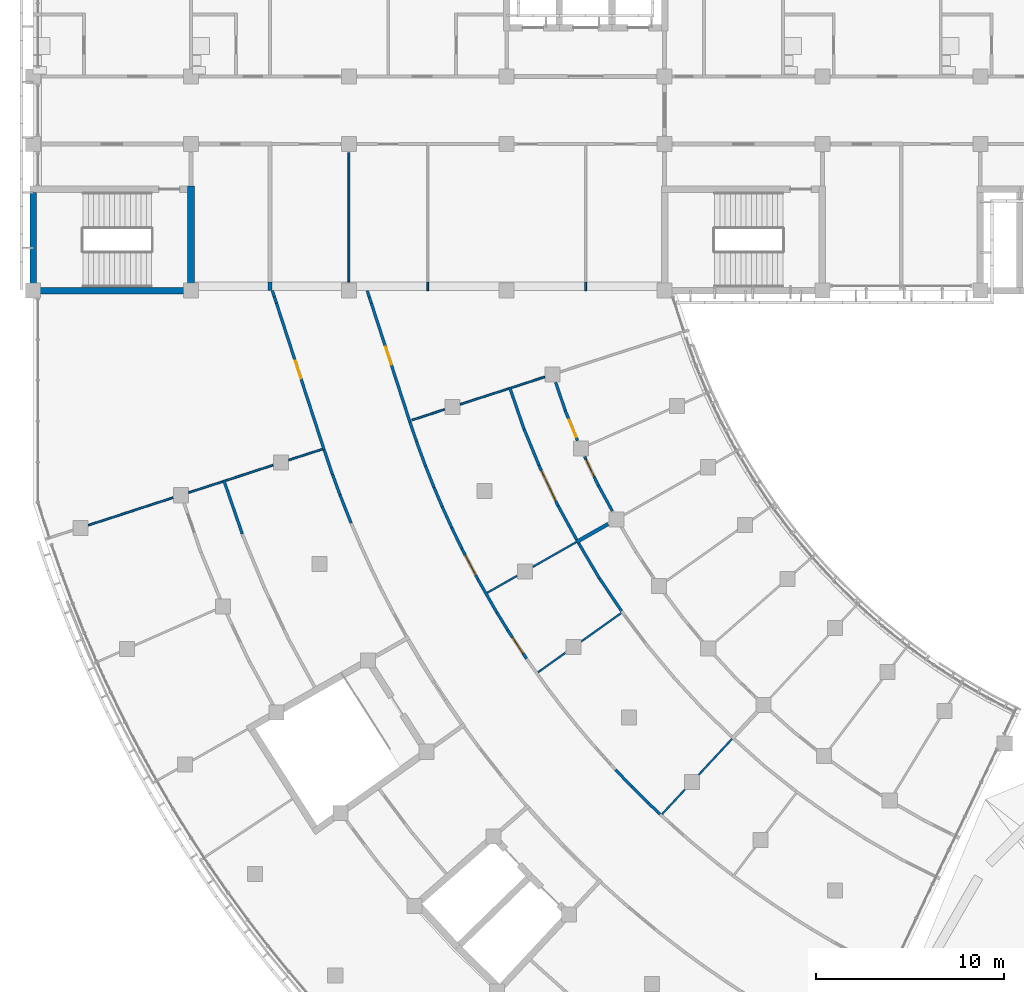
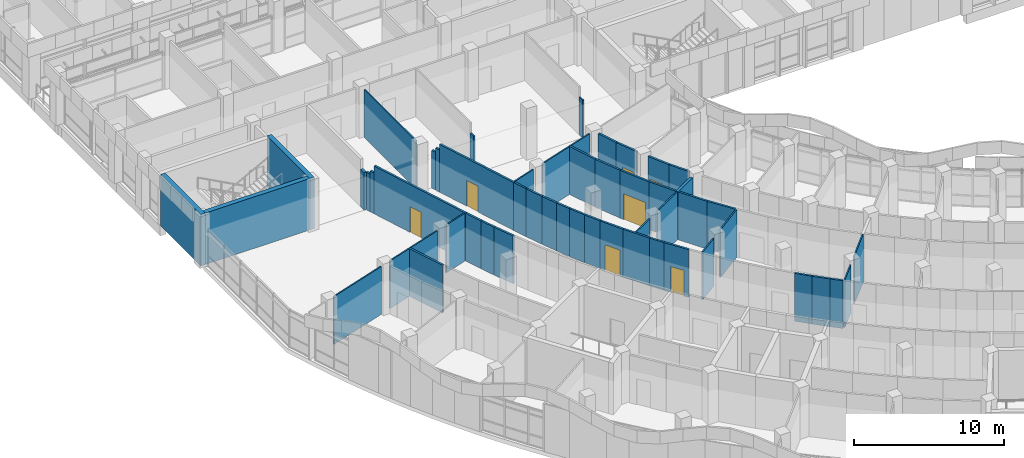
# One storey, part 71 of 137: 52 walls, 7 doors, 7 openings.
"""IFC4 building model written with IfcOpenShell, lengths in metres."""

from ifc_helpers import new_model, si_unit, direction, frame, frame_2d, origin, place, context, subcontext, project, spatial, rectangle, extrude, material, layer, layer_set, type_object, element, fill, save


model = new_model("IFC4")

# Units and contexts
model_context = context("Model", 3, precision=1e-05, world=origin(), true_north=direction((0.0, 1.0)))
body_context = subcontext(model_context, "Body", "Model", "MODEL_VIEW")
ifc_project = project(units=[si_unit("LENGTHUNIT", "METRE"), si_unit("AREAUNIT", "SQUARE_METRE"), si_unit("VOLUMEUNIT", "CUBIC_METRE"), si_unit("PLANEANGLEUNIT", "RADIAN"), si_unit("MASSUNIT", "GRAM", prefix="KILO")], contexts=[model_context])

# Site, building, storey
site_placement = place(None, origin())
site = spatial("IfcSite", under=ifc_project, at=site_placement, CompositionType="ELEMENT")
building_placement = place(site_placement, origin())
building = spatial("IfcBuilding", under=site, at=building_placement, Name="Bougainvillea Quay General Hospital", CompositionType="ELEMENT")
storey_placement = place(building_placement, frame((0.0, 0.0, 16.800048828125)))
storey = spatial("IfcBuildingStorey", under=building, at=storey_placement, Name="L03", CompositionType="ELEMENT", Elevation=16.800048828125)

# Walls
ifc_material_1 = material(Name="Gypsum board partition on steel studs", Category="steel")
ifc_layer_1 = layer(ifc_material_1, 0.10009765625)
ifc_layer_set_1 = layer_set([ifc_layer_1], Name="Gypsum board partition on steel studs")
wall_type_1 = type_object("IfcWallType", Name="Partition 100 Gypsum board partition", PredefinedType="PARTITIONING", material=ifc_layer_set_1)
wall_1_placement = place(storey_placement, frame((58.800048828125, 118.050048828125, 0.0), z_axis=(0.0, 0.0, 1.0), x_axis=(0.0, 1.0, 0.0)))
element("IfcWall", 1, at=wall_1_placement, inside=storey, type_object=wall_type_1, Name="Partition 100 mm", PredefinedType="PARTITIONING", context=body_context, shape_type="SweptSolid", body=[
    extrude(rectangle(XDim=6.89990234375, YDim=0.10009765625, at=frame_2d((3.449951171875, 0.0))), origin(), (0.0, 0.0, 1.0), 3.89990234375),
])
for number, where, z_axis, x_axis, name in (
    (2, (63.0, 117.60009765625, 0.0), (0.0, 0.0, 1.0), (0.0, 1.0, 0.0), "Partition 100 mm"),
    (3, (71.39990234375, 117.60009765625, 0.0), (0.0, 0.0, 1.0), (0.0, 1.0, 0.0), "Partition 100 mm"),
):
    element("IfcWall", number, at=place(storey_placement, frame(where, z_axis=z_axis, x_axis=x_axis)), inside=storey, type_object=wall_type_1, Name=name, PredefinedType="PARTITIONING", context=body_context, shape_type="SweptSolid", body=[
        extrude(rectangle(XDim=0.449951171875, YDim=0.10009765625, at=frame_2d((0.22509765625, 0.0))), origin(), (0.0, 0.0, 1.0), 3.079833984375),
    ])
ifc_layer_2 = layer(ifc_material_1, 0.10009765625)
ifc_layer_set_2 = layer_set([ifc_layer_2], Name="Gypsum board partition on steel studs")
wall_type_2 = type_object("IfcWallType", Name="Partition 100 Gypsum board partition EI 30", PredefinedType="PARTITIONING", material=ifc_layer_set_2)
wall_2_placement = place(storey_placement, frame((44.945068359375, 105.122314453125, 0.0), z_axis=(0.0, 0.0, 1.0), x_axis=(0.95107316225, 0.308965758699, 0.0)))
element("IfcWall", 4, at=wall_2_placement, inside=storey, type_object=wall_type_2, Name="Partition 100 mm EI 30", PredefinedType="PARTITIONING", context=body_context, shape_type="SweptSolid", body=[
    extrude(rectangle(XDim=4.72607421875, YDim=0.10009765625, at=frame_2d((2.363037109375, 0.0))), origin(), (0.0, 0.0, 1.0), 3.89990234375),
])
wall_3_placement = place(storey_placement, frame((50.27001953125, 106.852294921875, 0.0), z_axis=(0.0, 0.0, 1.0), x_axis=(0.951077706574, 0.308951769792, 0.0)))
element("IfcWall", 5, at=wall_3_placement, inside=storey, type_object=wall_type_2, Name="Partition 100 mm EI 30", PredefinedType="PARTITIONING", context=body_context, shape_type="SweptSolid", body=[
    extrude(rectangle(XDim=4.72705078125, YDim=0.10009765625, at=frame_2d((2.363525390625, 0.0))), origin(), (0.0, 0.0, 1.0), 3.89990234375),
])
wall_4_placement = place(storey_placement, frame((55.59619140625, 108.58251953125, 0.0), z_axis=(0.0, 0.0, 1.0), x_axis=(0.951087292219, 0.308922259768, 0.0)))
element("IfcWall", 6, at=wall_4_placement, inside=storey, type_object=wall_type_2, Name="Partition 100 mm EI 30", PredefinedType="PARTITIONING", context=body_context, shape_type="SweptSolid", body=[
    extrude(rectangle(XDim=1.88720703125, YDim=0.10009765625, at=frame_2d((0.943603515625, 0.0))), origin(), (0.0, 0.0, 1.0), 3.89990234375),
])
wall_5_placement = place(storey_placement, frame((62.159423828125, 110.7158203125, 0.0), z_axis=(0.0, 0.0, 1.0), x_axis=(0.951101847275, 0.308877445129, 0.0)))
element("IfcWall", 7, at=wall_5_placement, inside=storey, type_object=wall_type_2, Name="Partition 100 mm EI 30", PredefinedType="PARTITIONING", context=body_context, shape_type="SweptSolid", body=[
    extrude(rectangle(XDim=1.825927734375, YDim=0.10009765625, at=frame_2d((0.9130859375, 0.0))), origin(), (0.0, 0.0, 1.0), 3.89990234375),
])
wall_6_placement = place(storey_placement, frame((64.72607421875, 111.549560546875, 0.0), z_axis=(0.0, 0.0, 1.0), x_axis=(0.951062529891, 0.308998485818, 0.0)))
element("IfcWall", 8, at=wall_6_placement, inside=storey, type_object=wall_type_2, Name="Partition 100 mm EI 30", PredefinedType="PARTITIONING", context=body_context, shape_type="SweptSolid", body=[
    extrude(rectangle(XDim=4.727294921875, YDim=0.10009765625, at=frame_2d((2.36376953125, 0.0))), origin(), (0.0, 0.0, 1.0), 3.89990234375),
])
wall_7_placement = place(storey_placement, frame((66.160400390625, 101.522705078125, 0.0), z_axis=(0.0, 0.0, 1.0), x_axis=(0.869286737545, 0.494308171011, 0.0)))
element("IfcWall", 9, at=wall_7_placement, inside=storey, type_object=wall_type_2, Name="Partition 100 mm EI 30", PredefinedType="PARTITIONING", context=body_context, shape_type="SweptSolid", body=[
    extrude(rectangle(XDim=1.824951171875, YDim=0.10009765625, at=frame_2d((0.91259765625, 0.0))), origin(), (0.0, 0.0, 1.0), 3.89990234375),
])
wall_8_placement = place(storey_placement, frame((68.59521484375, 102.907470703125, 0.0), z_axis=(0.0, 0.0, 1.0), x_axis=(0.869270757215, 0.494336272846, 0.0)))
element("IfcWall", 10, at=wall_8_placement, inside=storey, type_object=wall_type_2, Name="Partition 100 mm EI 30", PredefinedType="PARTITIONING", context=body_context, shape_type="SweptSolid", body=[
    extrude(rectangle(XDim=2.656005859375, YDim=0.10009765625, at=frame_2d((1.328125, 0.0))), origin(), (0.0, 0.0, 1.0), 3.89990234375),
])
wall_9_placement = place(storey_placement, frame((75.4677734375, 89.74560546875, 0.0), z_axis=(0.0, 0.0, 1.0), x_axis=(0.681143154038, 0.732150260334, 0.0)))
element("IfcWall", 11, at=wall_9_placement, inside=storey, type_object=wall_type_2, Name="Partition 100 mm EI 30", PredefinedType="PARTITIONING", context=body_context, shape_type="SweptSolid", body=[
    extrude(rectangle(XDim=1.785400390625, YDim=0.10009765625, at=frame_2d((0.892578125, 0.0))), origin(), (0.0, 0.0, 1.0), 3.89990234375),
])
wall_10_placement = place(storey_placement, frame((77.412109375, 91.83544921875, 0.0), z_axis=(0.0, 0.0, 1.0), x_axis=(0.681147107729, 0.732146582067, 0.0)))
element("IfcWall", 12, at=wall_10_placement, inside=storey, type_object=wall_type_2, Name="Partition 100 mm EI 30", PredefinedType="PARTITIONING", context=body_context, shape_type="SweptSolid", body=[
    extrude(rectangle(XDim=2.60888671875, YDim=0.10009765625, at=frame_2d((1.304443359375, 0.0))), origin(), (0.0, 0.0, 1.0), 3.89990234375),
])
wall_11_placement = place(storey_placement, frame((68.860595703125, 97.2900390625, 0.0), z_axis=(0.0, 0.0, 1.0), x_axis=(0.814701484378, 0.5798805837, 0.0)))
element("IfcWall", 13, at=wall_11_placement, inside=storey, type_object=wall_type_2, Name="Partition 100 mm EI 30", PredefinedType="PARTITIONING", context=body_context, shape_type="SweptSolid", body=[
    extrude(rectangle(XDim=1.787109375, YDim=0.10009765625, at=frame_2d((0.8935546875, 0.0))), origin(), (0.0, 0.0, 1.0), 3.89990234375),
])
wall_12_placement = place(storey_placement, frame((71.17333984375, 98.936279296875, 0.0), z_axis=(0.0, 0.0, 1.0), x_axis=(0.814672160951, 0.579921779355, 0.0)))
element("IfcWall", 14, at=wall_12_placement, inside=storey, type_object=wall_type_2, Name="Partition 100 mm EI 30", PredefinedType="PARTITIONING", context=body_context, shape_type="SweptSolid", body=[
    extrude(rectangle(XDim=2.597900390625, YDim=0.10009765625, at=frame_2d((1.298828125, 0.0))), origin(), (0.0, 0.0, 1.0), 3.89990234375),
])
ifc_material_2 = material(Name="Gypsum board partition on steel studs, insulated", Category="steel")
ifc_layer_3 = layer(ifc_material_2, 0.14990234375)
ifc_layer_set_3 = layer_set([ifc_layer_3], Name="Gypsum board partition on steel studs, insulated")
wall_type_3 = type_object("IfcWallType", Name="Partition 150 Gypsum board partition EI 30", PredefinedType="PARTITIONING", material=ifc_layer_set_3)
wall_13_placement = place(storey_placement, frame((54.72998046875, 117.60009765625, 0.0), z_axis=(0.0, 0.0, 1.0), x_axis=(0.308896865329, -0.951095540201, 0.0)))
element("IfcWall", 15, at=wall_13_placement, inside=storey, type_object=wall_type_3, Name="Partition 150 mm EI 30", PredefinedType="PARTITIONING", context=body_context, shape_type="SweptSolid", body=[
    extrude(rectangle(XDim=0.35009765625, YDim=0.14990234375, at=frame_2d((0.175048828125, 0.0))), origin(), (0.0, 0.0, 1.0), 3.079833984375),
])
wall_14_placement = place(storey_placement, frame((54.838134765625, 117.26708984375, 0.0), z_axis=(0.0, 0.0, 1.0), x_axis=(0.309101849499, -0.951028941009, 0.0)))
element("IfcWall", 16, at=wall_14_placement, inside=storey, type_object=wall_type_3, Name="Partition 150 mm EI 30", PredefinedType="PARTITIONING", context=body_context, shape_type="SweptSolid", body=[
    extrude(rectangle(XDim=0.349853515625, YDim=0.14990234375, at=frame_2d((0.1748046875, 0.0))), origin(), (0.0, 0.0, 1.0), 3.33203125),
])

# Wall, opening, door
wall_15_placement = place(storey_placement, frame((54.9462890625, 116.934326171875, 0.0), z_axis=(0.0, 0.0, 1.0), x_axis=(0.309018232614, -0.951056113966, 0.0)))
wall_15 = element("IfcWall", 17, at=wall_15_placement, inside=storey, type_object=wall_type_3, Name="Partition 150 mm EI 30", PredefinedType="PARTITIONING", context=body_context, shape_type="SweptSolid", body=[
    extrude(rectangle(XDim=8.218994140625, YDim=0.14990234375, at=frame_2d((4.109375, 0.0))), origin(), (0.0, 0.0, 1.0), 3.89990234375),
])
opening_1_placement = place(wall_15_placement, frame((3.221923828125, 0.0, 0.0)))
opening_1 = element("IfcOpeningElement", 18, at=opening_1_placement, cuts=wall_15, Name="Opening L03.168", PredefinedType="OPENING", context=body_context, shape_type="SweptSolid", body=[
    extrude(rectangle(XDim=1.0, YDim=2.10009765625, at=frame_2d((0.5, 1.050048828125))), frame((0.0, 0.0849609375, 0.0), z_axis=(0.0, -1.0, 0.0), x_axis=(1.0, 0.0, 0.0)), (0.0, 0.0, 1.0), 0.169921875),
])
ifc_material_3 = material(Name="Solid-core timber door leaf in steel frame", Category="steel")
door_type_1 = type_object("IfcDoorType", Name="Single leaf door 1000x2100 FD30S", OperationType="NOTDEFINED", PredefinedType="DOOR", material=ifc_material_3)
door_1_placement = place(opening_1_placement, frame((1.0, 0.0, 0.0), z_axis=(0.0, 0.0, 1.0), x_axis=(-1.0, 0.0, 0.0)))
door_1 = element("IfcDoor", 19, at=door_1_placement, inside=storey, type_object=door_type_1, Name="DT15 L03.168", OperationType="SINGLE_SWING_RIGHT", OverallHeight=2.10009765625, OverallWidth=1.0, PredefinedType="DOOR", context=body_context, shape_type="SweptSolid", body=[
    extrude(rectangle(XDim=1.0, YDim=2.10009765625, at=frame_2d((0.5, 1.050048828125))), frame((0.0, 0.02490234375, 0.0), z_axis=(0.0, -1.0, 0.0), x_axis=(1.0, 0.0, 0.0)), (0.0, 0.0, 1.0), 0.050048828125),
])
fill(opening_1, door_1)

# Walls
wall_16_placement = place(storey_placement, frame((59.777099609375, 117.60009765625, 0.0), z_axis=(0.0, 0.0, 1.0), x_axis=(0.308896865329, -0.951095540201, 0.0)))
element("IfcWall", 20, at=wall_16_placement, inside=storey, type_object=wall_type_3, Name="Partition 150 mm EI 30", PredefinedType="PARTITIONING", context=body_context, shape_type="SweptSolid", body=[
    extrude(rectangle(XDim=0.35009765625, YDim=0.14990234375, at=frame_2d((0.175048828125, 0.0))), origin(), (0.0, 0.0, 1.0), 3.079833984375),
])
wall_17_placement = place(storey_placement, frame((59.88525390625, 117.26708984375, 0.0), z_axis=(0.0, 0.0, 1.0), x_axis=(0.309101849499, -0.951028941009, 0.0)))
element("IfcWall", 21, at=wall_17_placement, inside=storey, type_object=wall_type_3, Name="Partition 150 mm EI 30", PredefinedType="PARTITIONING", context=body_context, shape_type="SweptSolid", body=[
    extrude(rectangle(XDim=0.349853515625, YDim=0.14990234375, at=frame_2d((0.1748046875, 0.0))), origin(), (0.0, 0.0, 1.0), 3.442138671875),
])

# Wall, opening, door
wall_18_placement = place(storey_placement, frame((59.993408203125, 116.934326171875, 0.0), z_axis=(0.0, 0.0, 1.0), x_axis=(0.309057883515, -0.951043229636, 0.0)))
wall_18 = element("IfcWall", 22, at=wall_18_placement, inside=storey, type_object=wall_type_3, Name="Partition 150 mm EI 30", PredefinedType="PARTITIONING", context=body_context, shape_type="SweptSolid", body=[
    extrude(rectangle(XDim=6.658447265625, YDim=0.14990234375, at=frame_2d((3.3291015625, 0.0))), origin(), (0.0, 0.0, 1.0), 3.89990234375),
])
opening_2_placement = place(wall_18_placement, frame((2.44189453125, 0.0, 0.0)))
opening_2 = element("IfcOpeningElement", 23, at=opening_2_placement, cuts=wall_18, Name="Opening L03.179", PredefinedType="OPENING", context=body_context, shape_type="SweptSolid", body=[
    extrude(rectangle(XDim=1.0, YDim=2.10009765625, at=frame_2d((0.5, 1.050048828125))), frame((0.0, 0.0849609375, 0.0), z_axis=(0.0, -1.0, 0.0), x_axis=(1.0, 0.0, 0.0)), (0.0, 0.0, 1.0), 0.169921875),
])
door_2_placement = place(opening_2_placement, origin())
door_2 = element("IfcDoor", 24, at=door_2_placement, inside=storey, type_object=door_type_1, Name="DT15 L03.179", OperationType="SINGLE_SWING_LEFT", OverallHeight=2.10009765625, OverallWidth=1.0, PredefinedType="DOOR", context=body_context, shape_type="SweptSolid", body=[
    extrude(rectangle(XDim=1.0, YDim=2.10009765625, at=frame_2d((0.5, 1.050048828125))), frame((0.0, 0.02490234375, 0.0), z_axis=(0.0, -1.0, 0.0), x_axis=(1.0, 0.0, 0.0)), (0.0, 0.0, 1.0), 0.050048828125),
])
fill(opening_2, door_2)

# Wall
wall_19_placement = place(storey_placement, frame((52.146728515625, 107.51025390625, 0.0), z_axis=(0.0, 0.0, 1.0), x_axis=(0.324772605422, -0.945792130844, 0.0)))
element("IfcWall", 25, at=wall_19_placement, inside=storey, type_object=wall_type_3, Name="Partition 150 mm EI 30", PredefinedType="PARTITIONING", context=body_context, shape_type="SweptSolid", body=[
    extrude(rectangle(XDim=3.021240234375, YDim=0.14990234375, at=frame_2d((1.5107421875, 0.0))), origin(), (0.0, 0.0, 1.0), 3.89990234375),
])

# Wall, opening, door
wall_20_placement = place(storey_placement, frame((68.9150390625, 108.30078125, 0.0), z_axis=(0.0, 0.0, 1.0), x_axis=(0.426631335289, -0.904425620905, 0.0)))
wall_20 = element("IfcWall", 26, at=wall_20_placement, inside=storey, type_object=wall_type_3, Name="Partition 150 mm EI 30", PredefinedType="PARTITIONING", context=body_context, shape_type="SweptSolid", body=[
    extrude(rectangle(XDim=2.381103515625, YDim=0.14990234375, at=frame_2d((1.1904296875, 0.0))), origin(), (0.0, 0.0, 1.0), 3.89990234375),
])
opening_3_placement = place(wall_20_placement, frame((0.29052734375, 0.0, 0.0)))
opening_3 = element("IfcOpeningElement", 27, at=opening_3_placement, cuts=wall_20, Name="Opening L03.144", PredefinedType="OPENING", context=body_context, shape_type="SweptSolid", body=[
    extrude(rectangle(XDim=1.800048828125, YDim=2.10009765625, at=frame_2d((0.89990234375, 1.050048828125))), frame((0.0, 0.0849609375, 0.0), z_axis=(0.0, -1.0, 0.0), x_axis=(1.0, 0.0, 0.0)), (0.0, 0.0, 1.0), 0.169921875),
])
ifc_material_4 = material(Name="Solid-core timber door leaves in steel frame", Category="steel")
door_type_2 = type_object("IfcDoorType", Name="Double leaf door 1800x2100", OperationType="DOUBLE_DOOR_SINGLE_SWING", PredefinedType="DOOR", material=ifc_material_4)
door_3_placement = place(opening_3_placement, origin())
door_3 = element("IfcDoor", 28, at=door_3_placement, inside=storey, type_object=door_type_2, Name="DT08 L03.144", OperationType="DOUBLE_DOOR_SINGLE_SWING", OverallHeight=2.10009765625, OverallWidth=1.800048828125, PredefinedType="DOOR", context=body_context, shape_type="SweptSolid", body=[
    extrude(rectangle(XDim=1.800048828125, YDim=2.10009765625, at=frame_2d((0.89990234375, 1.050048828125))), frame((0.0, 0.02490234375, 0.0), z_axis=(0.0, -1.0, 0.0), x_axis=(1.0, 0.0, 0.0)), (0.0, 0.0, 1.0), 0.050048828125),
])
fill(opening_3, door_3)

# Walls
wall_21_placement = place(storey_placement, frame((71.021484375, 104.1708984375, 0.0), z_axis=(0.0, 0.0, 1.0), x_axis=(0.50873677225, -0.860922119916, 0.0)))
element("IfcWall", 29, at=wall_21_placement, inside=storey, type_object=wall_type_3, Name="Partition 150 mm EI 30", PredefinedType="PARTITIONING", context=body_context, shape_type="SweptSolid", body=[
    extrude(rectangle(XDim=2.205078125, YDim=0.14990234375, at=frame_2d((1.1025390625, 0.0))), origin(), (0.0, 0.0, 1.0), 3.89990234375),
])
wall_22_placement = place(storey_placement, frame((67.356689453125, 112.453369140625, 0.0), z_axis=(0.0, 0.0, 1.0), x_axis=(0.32494944972, -0.94573138635, 0.0)))
element("IfcWall", 30, at=wall_22_placement, inside=storey, type_object=wall_type_3, Name="Partition 150 mm EI 30", PredefinedType="PARTITIONING", context=body_context, shape_type="SweptSolid", body=[
    extrude(rectangle(XDim=2.356201171875, YDim=0.14990234375, at=frame_2d((1.17822265625, 0.0))), origin(), (0.0, 0.0, 1.0), 3.89990234375),
])
wall_23_placement = place(storey_placement, frame((72.14453125, 102.2783203125, 0.0), z_axis=(0.0, 0.0, 1.0), x_axis=(0.558900636953, -0.829234633873, 0.0)))
element("IfcWall", 31, at=wall_23_placement, inside=storey, type_object=wall_type_3, Name="Partition 150 mm EI 30", PredefinedType="PARTITIONING", context=body_context, shape_type="SweptSolid", body=[
    extrude(rectangle(XDim=2.0888671875, YDim=0.14990234375, at=frame_2d((1.04443359375, 0.0))), origin(), (0.0, 0.0, 1.0), 3.89990234375),
])
wall_24_placement = place(storey_placement, frame((69.93310546875, 106.153076171875, 0.0), z_axis=(0.0, 0.0, 1.0), x_axis=(0.479964929401, -0.877287676047, 0.0)))
element("IfcWall", 32, at=wall_24_placement, inside=storey, type_object=wall_type_3, Name="Partition 150 mm EI 30", PredefinedType="PARTITIONING", context=body_context, shape_type="SweptSolid", body=[
    extrude(rectangle(XDim=2.05908203125, YDim=0.14990234375, at=frame_2d((1.029541015625, 0.0))), origin(), (0.0, 0.0, 1.0), 3.89990234375),
])
wall_25_placement = place(storey_placement, frame((68.125, 110.230712890625, 0.0), z_axis=(0.0, 0.0, 1.0), x_axis=(0.38056168262, -0.924755538357, 0.0)))
element("IfcWall", 33, at=wall_25_placement, inside=storey, type_object=wall_type_3, Name="Partition 150 mm EI 30", PredefinedType="PARTITIONING", context=body_context, shape_type="SweptSolid", body=[
    extrude(rectangle(XDim=2.0888671875, YDim=0.14990234375, at=frame_2d((1.04443359375, 0.0))), origin(), (0.0, 0.0, 1.0), 3.89990234375),
])

# Wall, opening, door
wall_26_placement = place(storey_placement, frame((71.345703125, 108.7705078125, 0.0), z_axis=(0.0, 0.0, 1.0), x_axis=(0.42702903496, -0.904237912997, 0.0)))
wall_26 = element("IfcWall", 34, at=wall_26_placement, inside=storey, type_object=wall_type_3, Name="Partition 150 mm EI 30", PredefinedType="PARTITIONING", context=body_context, shape_type="SweptSolid", body=[
    extrude(rectangle(XDim=1.707763671875, YDim=0.14990234375, at=frame_2d((0.85400390625, 0.0))), origin(), (0.0, 0.0, 1.0), 3.89990234375),
])
opening_4_placement = place(wall_26_placement, frame((0.177978515625, 0.0, 0.0)))
opening_4 = element("IfcOpeningElement", 35, at=opening_4_placement, cuts=wall_26, Name="Opening L03.180", PredefinedType="OPENING", context=body_context, shape_type="SweptSolid", body=[
    extrude(rectangle(XDim=1.0, YDim=2.10009765625, at=frame_2d((0.5, 1.050048828125))), frame((0.0, 0.0849609375, 0.0), z_axis=(0.0, -1.0, 0.0), x_axis=(1.0, 0.0, 0.0)), (0.0, 0.0, 1.0), 0.169921875),
])
door_4_placement = place(opening_4_placement, origin())
door_4 = element("IfcDoor", 36, at=door_4_placement, inside=storey, type_object=door_type_1, Name="DT15 L03.180", OperationType="SINGLE_SWING_LEFT", OverallHeight=2.10009765625, OverallWidth=1.0, PredefinedType="DOOR", context=body_context, shape_type="SweptSolid", body=[
    extrude(rectangle(XDim=1.0, YDim=2.10009765625, at=frame_2d((0.5, 1.050048828125))), frame((0.0, 0.02490234375, 0.0), z_axis=(0.0, -1.0, 0.0), x_axis=(1.0, 0.0, 0.0)), (0.0, 0.0, 1.0), 0.050048828125),
])
fill(opening_4, door_4)

wall_27_placement = place(storey_placement, frame((70.3115234375, 111.222412109375, 0.0), z_axis=(0.0, 0.0, 1.0), x_axis=(0.380150665177, -0.924924576258, 0.0)))
wall_27 = element("IfcWall", 37, at=wall_27_placement, inside=storey, type_object=wall_type_3, Name="Partition 150 mm EI 30", PredefinedType="PARTITIONING", context=body_context, shape_type="SweptSolid", body=[
    extrude(rectangle(XDim=1.7216796875, YDim=0.14990234375, at=frame_2d((0.86083984375, 0.0))), origin(), (0.0, 0.0, 1.0), 3.89990234375),
])
opening_5_placement = place(wall_27_placement, frame((0.52978515625, 0.0, 0.0)))
opening_5 = element("IfcOpeningElement", 38, at=opening_5_placement, cuts=wall_27, Name="Opening L03.181", PredefinedType="OPENING", context=body_context, shape_type="SweptSolid", body=[
    extrude(rectangle(XDim=1.0, YDim=2.10009765625, at=frame_2d((0.5, 1.050048828125))), frame((0.0, 0.0849609375, 0.0), z_axis=(0.0, -1.0, 0.0), x_axis=(1.0, 0.0, 0.0)), (0.0, 0.0, 1.0), 0.169921875),
])
door_5_placement = place(opening_5_placement, origin())
door_5 = element("IfcDoor", 39, at=door_5_placement, inside=storey, type_object=door_type_1, Name="DT15 L03.181", OperationType="SINGLE_SWING_RIGHT", OverallHeight=2.10009765625, OverallWidth=1.0, PredefinedType="DOOR", context=body_context, shape_type="SweptSolid", body=[
    extrude(rectangle(XDim=1.0, YDim=2.10009765625, at=frame_2d((0.5, 1.050048828125))), frame((0.0, 0.02490234375, 0.0), z_axis=(0.0, -1.0, 0.0), x_axis=(1.0, 0.0, 0.0)), (0.0, 0.0, 1.0), 0.050048828125),
])
fill(opening_5, door_5)

# Walls
wall_28_placement = place(storey_placement, frame((72.076904296875, 107.23193359375, 0.0), z_axis=(0.0, 0.0, 1.0), x_axis=(0.480041086357, -0.877246006209, 0.0)))
element("IfcWall", 40, at=wall_28_placement, inside=storey, type_object=wall_type_3, Name="Partition 150 mm EI 30", PredefinedType="PARTITIONING", context=body_context, shape_type="SweptSolid", body=[
    extrude(rectangle(XDim=1.55322265625, YDim=0.14990234375, at=frame_2d((0.776611328125, 0.0))), origin(), (0.0, 0.0, 1.0), 3.89990234375),
])
wall_29_placement = place(storey_placement, frame((69.80224609375, 112.718017578125, 0.0), z_axis=(0.0, 0.0, 1.0), x_axis=(0.32490745983, -0.945745812863, 0.0)))
element("IfcWall", 41, at=wall_29_placement, inside=storey, type_object=wall_type_3, Name="Partition 150 mm EI 30", PredefinedType="PARTITIONING", context=body_context, shape_type="SweptSolid", body=[
    extrude(rectangle(XDim=1.583984375, YDim=0.14990234375, at=frame_2d((0.7919921875, 0.0))), origin(), (0.0, 0.0, 1.0), 3.89990234375),
])
wall_30_placement = place(storey_placement, frame((65.65478515625, 102.257080078125, 0.0), z_axis=(0.0, 0.0, 1.0), x_axis=(0.495741714706, -0.868470006564, 0.0)))
element("IfcWall", 42, at=wall_30_placement, inside=storey, type_object=wall_type_3, Name="Partition 150 mm EI 30", PredefinedType="PARTITIONING", context=body_context, shape_type="SweptSolid", body=[
    extrude(rectangle(XDim=2.05224609375, YDim=0.14990234375, at=frame_2d((1.026123046875, 0.0))), origin(), (0.0, 0.0, 1.0), 3.89990234375),
])

# Wall, opening, door
wall_31_placement = place(storey_placement, frame((67.24365234375, 99.546630859375, 0.0), z_axis=(0.0, 0.0, 1.0), x_axis=(0.550660027371, -0.834729617454, 0.0)))
wall_31 = element("IfcWall", 43, at=wall_31_placement, inside=storey, type_object=wall_type_3, Name="Partition 150 mm EI 30", PredefinedType="PARTITIONING", context=body_context, shape_type="SweptSolid", body=[
    extrude(rectangle(XDim=1.829833984375, YDim=0.14990234375, at=frame_2d((0.9150390625, 0.0))), origin(), (0.0, 0.0, 1.0), 3.89990234375),
])
opening_6_placement = place(wall_31_placement, frame((0.488525390625, 0.0, 0.0)))
opening_6 = element("IfcOpeningElement", 44, at=opening_6_placement, cuts=wall_31, Name="Opening L03.175", PredefinedType="OPENING", context=body_context, shape_type="SweptSolid", body=[
    extrude(rectangle(XDim=1.0, YDim=2.10009765625, at=frame_2d((0.5, 1.050048828125))), frame((0.0, 0.0849609375, 0.0), z_axis=(0.0, -1.0, 0.0), x_axis=(1.0, 0.0, 0.0)), (0.0, 0.0, 1.0), 0.169921875),
])
door_6_placement = place(opening_6_placement, origin())
door_6 = element("IfcDoor", 45, at=door_6_placement, inside=storey, type_object=door_type_1, Name="DT15 L03.175", OperationType="SINGLE_SWING_RIGHT", OverallHeight=2.10009765625, OverallWidth=1.0, PredefinedType="DOOR", context=body_context, shape_type="SweptSolid", body=[
    extrude(rectangle(XDim=1.0, YDim=2.10009765625, at=frame_2d((0.5, 1.050048828125))), frame((0.0, 0.02490234375, 0.0), z_axis=(0.0, -1.0, 0.0), x_axis=(1.0, 0.0, 0.0)), (0.0, 0.0, 1.0), 0.050048828125),
])
fill(opening_6, door_6)

wall_32_placement = place(storey_placement, frame((64.81298828125, 103.865478515625, 0.0), z_axis=(0.0, 0.0, 1.0), x_axis=(0.464960236032, -0.885331564392, 0.0)))
wall_32 = element("IfcWall", 46, at=wall_32_placement, inside=storey, type_object=wall_type_3, Name="Partition 150 mm EI 30", PredefinedType="PARTITIONING", context=body_context, shape_type="SweptSolid", body=[
    extrude(rectangle(XDim=1.81787109375, YDim=0.14990234375, at=frame_2d((0.908935546875, 0.0))), origin(), (0.0, 0.0, 1.0), 3.89990234375),
])
opening_7_placement = place(wall_32_placement, frame((0.382568359375, 0.0, 0.0)))
opening_7 = element("IfcOpeningElement", 47, at=opening_7_placement, cuts=wall_32, Name="Opening L03.158", PredefinedType="OPENING", context=body_context, shape_type="SweptSolid", body=[
    extrude(rectangle(XDim=1.199951171875, YDim=2.10009765625, at=frame_2d((0.60009765625, 1.050048828125))), frame((0.0, 0.0849609375, 0.0), z_axis=(0.0, -1.0, 0.0), x_axis=(1.0, 0.0, 0.0)), (0.0, 0.0, 1.0), 0.169921875),
])
door_type_3 = type_object("IfcDoorType", Name="Single leaf door 1200x2100", OperationType="NOTDEFINED", PredefinedType="DOOR", material=ifc_material_3)
door_7_placement = place(opening_7_placement, frame((1.199951171875, 0.0, 0.0), z_axis=(0.0, 0.0, 1.0), x_axis=(-1.0, 0.0, 0.0)))
door_7 = element("IfcDoor", 48, at=door_7_placement, inside=storey, type_object=door_type_3, Name="DT13 L03.158", OperationType="SINGLE_SWING_LEFT", OverallHeight=2.10009765625, OverallWidth=1.199951171875, PredefinedType="DOOR", context=body_context, shape_type="SweptSolid", body=[
    extrude(rectangle(XDim=1.199951171875, YDim=2.10009765625, at=frame_2d((0.60009765625, 1.050048828125))), frame((0.0, 0.02490234375, 0.0), z_axis=(0.0, -1.0, 0.0), x_axis=(1.0, 0.0, 0.0)), (0.0, 0.0, 1.0), 0.050048828125),
])
fill(opening_7, door_7)

# Walls
wall_33_placement = place(storey_placement, frame((58.324462890625, 106.73583984375, 0.0), z_axis=(0.0, 0.0, 1.0), x_axis=(0.367534370983, -0.930009938735, 0.0)))
element("IfcWall", 49, at=wall_33_placement, inside=storey, type_object=wall_type_3, Name="Partition 150 mm EI 30", PredefinedType="PARTITIONING", context=body_context, shape_type="SweptSolid", body=[
    extrude(rectangle(XDim=1.616943359375, YDim=0.14990234375, at=frame_2d((0.80859375, 0.0))), origin(), (0.0, 0.0, 1.0), 3.89990234375),
])
wall_34_placement = place(storey_placement, frame((57.4873046875, 109.1171875, 0.0), z_axis=(0.0, 0.0, 1.0), x_axis=(0.321098351659, -0.947045853463, 0.0)))
element("IfcWall", 50, at=wall_34_placement, inside=storey, type_object=wall_type_3, Name="Partition 150 mm EI 30", PredefinedType="PARTITIONING", context=body_context, shape_type="SweptSolid", body=[
    extrude(rectangle(XDim=1.38232421875, YDim=0.14990234375, at=frame_2d((0.691162109375, 0.0))), origin(), (0.0, 0.0, 1.0), 3.89990234375),
])
wall_35_placement = place(storey_placement, frame((57.93212890625, 107.810302734375, 0.0), z_axis=(0.0, 0.0, 1.0), x_axis=(0.344530098651, -0.938775271896, 0.0)))
element("IfcWall", 51, at=wall_35_placement, inside=storey, type_object=wall_type_3, Name="Partition 150 mm EI 30", PredefinedType="PARTITIONING", context=body_context, shape_type="SweptSolid", body=[
    extrude(rectangle(XDim=1.145751953125, YDim=0.14990234375, at=frame_2d((0.57275390625, 0.0))), origin(), (0.0, 0.0, 1.0), 3.89990234375),
])
wall_36_placement = place(storey_placement, frame((66.673095703125, 100.478271484375, 0.0), z_axis=(0.0, 0.0, 1.0), x_axis=(0.52407254025, -0.851673630304, 0.0)))
element("IfcWall", 52, at=wall_36_placement, inside=storey, type_object=wall_type_3, Name="Partition 150 mm EI 30", PredefinedType="PARTITIONING", context=body_context, shape_type="SweptSolid", body=[
    extrude(rectangle(XDim=1.0947265625, YDim=0.14990234375, at=frame_2d((0.54736328125, 0.0))), origin(), (0.0, 0.0, 1.0), 3.89990234375),
])
wall_37_placement = place(storey_placement, frame((72.9921875, 92.1064453125, 0.0), z_axis=(0.0, 0.0, 1.0), x_axis=(0.691209259047, -0.72265466179, 0.0)))
element("IfcWall", 53, at=wall_37_placement, inside=storey, type_object=wall_type_3, Name="Partition 150 mm EI 30", PredefinedType="PARTITIONING", context=body_context, shape_type="SweptSolid", body=[
    extrude(rectangle(XDim=1.2421875, YDim=0.14990234375, at=frame_2d((0.62109375, 0.0))), origin(), (0.0, 0.0, 1.0), 3.89990234375),
])
wall_38_placement = place(storey_placement, frame((62.400146484375, 109.568359375, 0.0), z_axis=(0.0, 0.0, 1.0), x_axis=(0.344492078755, -0.938789224307, 0.0)))
element("IfcWall", 54, at=wall_38_placement, inside=storey, type_object=wall_type_3, Name="Partition 150 mm EI 30", PredefinedType="PARTITIONING", context=body_context, shape_type="SweptSolid", body=[
    extrude(rectangle(XDim=1.3896484375, YDim=0.14990234375, at=frame_2d((0.69482421875, 0.0))), origin(), (0.0, 0.0, 1.0), 3.89990234375),
])
for number, where, z_axis, x_axis, name in (
    (55, (73.850830078125, 91.21142578125, 0.0), (0.0, 0.0, 1.0), (0.709168733207, -0.70503879882, 0.0), "Partition 150 mm EI 30"),
    (56, (64.2744140625, 104.9814453125, 0.0), (0.0, 0.0, 1.0), (0.436562976118, -0.899673700784, 0.0), "Partition 150 mm EI 30"),
):
    element("IfcWall", number, at=place(storey_placement, frame(where, z_axis=z_axis, x_axis=x_axis)), inside=storey, type_object=wall_type_3, Name=name, PredefinedType="PARTITIONING", context=body_context, shape_type="SweptSolid", body=[
        extrude(rectangle(XDim=1.241455078125, YDim=0.14990234375, at=frame_2d((0.62060546875, 0.0))), origin(), (0.0, 0.0, 1.0), 3.89990234375),
    ])
for number, where, z_axis, x_axis, name in (
    (57, (63.762939453125, 106.1103515625, 0.0), (0.0, 0.0, 1.0), (0.413936344261, -0.910305829323, 0.0), "Partition 150 mm EI 30"),
    (58, (62.8798828125, 108.26611328125, 0.0), (0.0, 0.0, 1.0), (0.368098059635, -0.929786974792, 0.0), "Partition 150 mm EI 30"),
):
    element("IfcWall", number, at=place(storey_placement, frame(where, z_axis=z_axis, x_axis=x_axis)), inside=storey, type_object=wall_type_3, Name=name, PredefinedType="PARTITIONING", context=body_context, shape_type="SweptSolid", body=[
        extrude(rectangle(XDim=1.240966796875, YDim=0.14990234375, at=frame_2d((0.62060546875, 0.0))), origin(), (0.0, 0.0, 1.0), 3.89990234375),
    ])
wall_39_placement = place(storey_placement, frame((63.337646484375, 107.11474609375, 0.0), z_axis=(0.0, 0.0, 1.0), x_axis=(0.39149075642, -0.920182040489, 0.0)))
element("IfcWall", 59, at=wall_39_placement, inside=storey, type_object=wall_type_3, Name="Partition 150 mm EI 30", PredefinedType="PARTITIONING", context=body_context, shape_type="SweptSolid", body=[
    extrude(rectangle(XDim=1.092529296875, YDim=0.14990234375, at=frame_2d((0.54638671875, 0.0))), origin(), (0.0, 0.0, 1.0), 3.89990234375),
])
wall_40_placement = place(storey_placement, frame((62.052001953125, 110.60107421875, 0.0), z_axis=(0.0, 0.0, 1.0), x_axis=(0.32118888939, -0.947015151585, 0.0)))
element("IfcWall", 60, at=wall_40_placement, inside=storey, type_object=wall_type_3, Name="Partition 150 mm EI 30", PredefinedType="PARTITIONING", context=body_context, shape_type="SweptSolid", body=[
    extrude(rectangle(XDim=1.091552734375, YDim=0.14990234375, at=frame_2d((0.5458984375, 0.0))), origin(), (0.0, 0.0, 1.0), 3.89990234375),
])
wall_41_placement = place(storey_placement, frame((74.731201171875, 90.338623046875, 0.0), z_axis=(0.0, 0.0, 1.0), x_axis=(0.725923200466, -0.687775767984, 0.0)))
element("IfcWall", 61, at=wall_41_placement, inside=storey, type_object=wall_type_3, Name="Partition 150 mm EI 30", PredefinedType="PARTITIONING", context=body_context, shape_type="SweptSolid", body=[
    extrude(rectangle(XDim=0.870361328125, YDim=0.14990234375, at=frame_2d((0.43505859375, 0.0))), origin(), (0.0, 0.0, 1.0), 3.89990234375),
])
ifc_material_5 = material(Name="Fire-rated autoclaved aerated block wall, plastered")
ifc_layer_4 = layer(ifc_material_5, 0.199951171875)
ifc_layer_set_4 = layer_set([ifc_layer_4], Name="Fire-rated autoclaved aerated block wall, plastered")
wall_type_4 = type_object("IfcWallType", Name="Partition 200 Fire-rated autoclaved aerated block wall EI 120", PredefinedType="SOLIDWALL", material=ifc_layer_set_4)
wall_42_placement = place(storey_placement, frame((54.60009765625, 117.60009765625, 0.0), z_axis=(0.0, 0.0, 1.0), x_axis=(0.0, 1.0, 0.0)))
element("IfcWall", 62, at=wall_42_placement, inside=storey, type_object=wall_type_4, Name="Partition 200 mm EI 120", PredefinedType="SOLIDWALL", context=body_context, shape_type="SweptSolid", body=[
    extrude(rectangle(XDim=0.449951171875, YDim=0.199951171875, at=frame_2d((0.22509765625, 0.0))), origin(), (0.0, 0.0, 1.0), 3.079833984375),
])
wall_43_placement = place(storey_placement, frame((70.90478515625, 104.220947265625, 0.0), z_axis=(0.0, 0.0, 1.0), x_axis=(0.869256176146, 0.494361912198, 0.0)))
element("IfcWall", 63, at=wall_43_placement, inside=storey, type_object=wall_type_4, Name="Partition 200 mm EI 120", PredefinedType="SOLIDWALL", context=body_context, shape_type="SweptSolid", body=[
    extrude(rectangle(XDim=1.939453125, YDim=0.199951171875, at=frame_2d((0.9697265625, 0.0))), origin(), (0.0, 0.0, 1.0), 3.89990234375),
])
ifc_material_6 = material(Name="Concrete C40", Category="concrete")
ifc_layer_5 = layer(ifc_material_6, 0.35009765625)
ifc_layer_set_5 = layer_set([ifc_layer_5], Name="Concrete C40")
wall_type_5 = type_object("IfcWallType", Name="RC SHEAR WALL 350 C40", PredefinedType="SHEAR", material=ifc_layer_set_5)
wall_44_placement = place(storey_placement, frame((42.0, 117.425048828125, 0.0), z_axis=(0.0, 0.0, 1.0), x_axis=(0.0, 1.0, 0.0)))
element("IfcWall", 64, at=wall_44_placement, inside=storey, type_object=wall_type_5, Name="Shear wall L03", PredefinedType="SHEAR", context=body_context, shape_type="SweptSolid", body=[
    extrude(rectangle(XDim=5.39990234375, YDim=0.35009765625, at=frame_2d((2.699951171875, 0.0))), origin(), (0.0, 0.0, 1.0), 4.199951171875),
])
wall_45_placement = place(storey_placement, frame((42.175048828125, 117.60009765625, 0.0), z_axis=(0.0, 0.0, 1.0), x_axis=(1.0, 0.0, 0.0)))
element("IfcWall", 65, at=wall_45_placement, inside=storey, type_object=wall_type_5, Name="Shear wall L03", PredefinedType="SHEAR", context=body_context, shape_type="SweptSolid", body=[
    extrude(rectangle(XDim=8.050048828125, YDim=0.35009765625, at=frame_2d((4.02490234375, 0.0))), origin(), (0.0, 0.0, 1.0), 4.199951171875),
])
wall_46_placement = place(storey_placement, frame((50.39990234375, 117.425048828125, 0.0), z_axis=(0.0, 0.0, 1.0), x_axis=(0.0, 1.0, 0.0)))
element("IfcWall", 66, at=wall_46_placement, inside=storey, type_object=wall_type_5, Name="Shear wall L03", PredefinedType="SHEAR", context=body_context, shape_type="SweptSolid", body=[
    extrude(rectangle(XDim=5.75, YDim=0.35009765625, at=frame_2d((2.875, 0.0))), origin(), (0.0, 0.0, 1.0), 4.199951171875),
])

save(model, "model.ifc")
